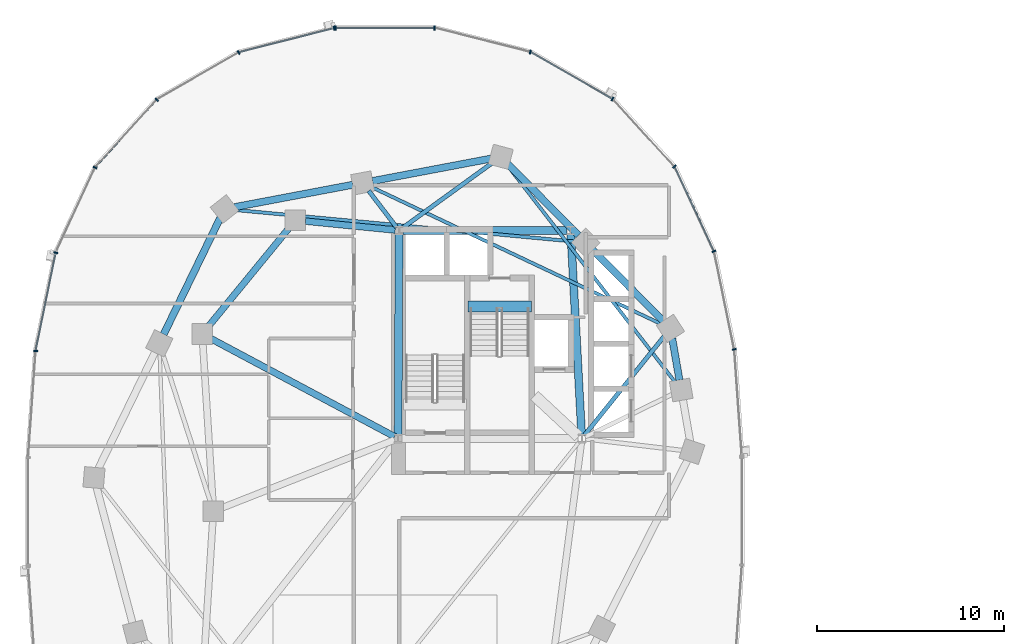
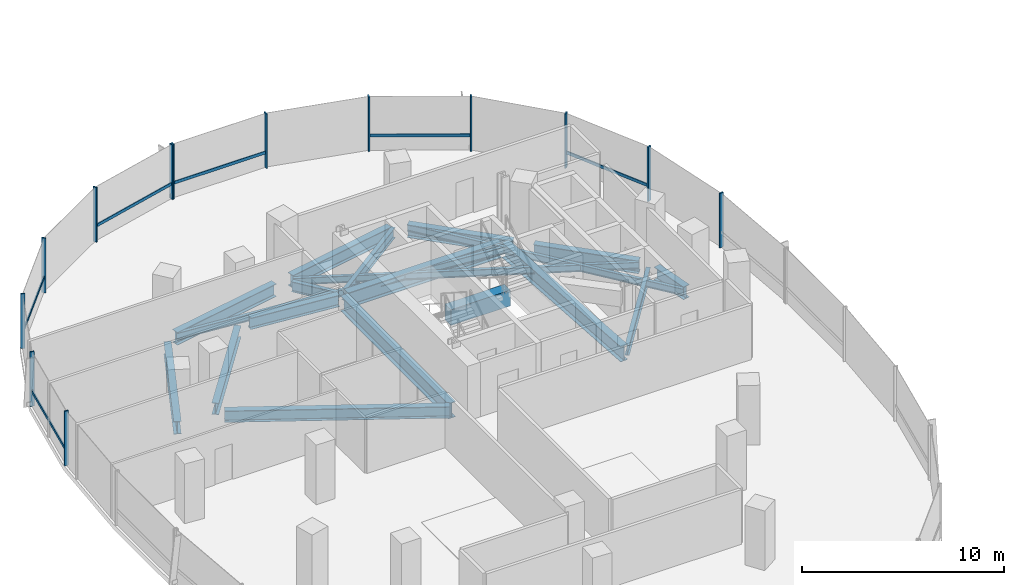
# One storey, part 4 of 21: 19 beams, 19 members, 2 elements without a shape of their own.
"""IFC4 building model written with IfcOpenShell, lengths in metres."""

from ifc_helpers import new_model, si_unit, direction, frame, origin, origin_2d, place, context, subcontext, project, spatial, rectangle, i_section, extrude, material, material_profile, profile_set, type_object, element, aggregate, save


model = new_model("IFC4")

# Units and contexts
model_context = context("Model", 3, precision=1e-05, world=origin(), true_north=direction((0.0, 1.0)))
body_context = subcontext(model_context, "Body", "Model", "MODEL_VIEW")
ifc_project = project(units=[si_unit("LENGTHUNIT", "METRE"), si_unit("AREAUNIT", "SQUARE_METRE"), si_unit("VOLUMEUNIT", "CUBIC_METRE"), si_unit("PLANEANGLEUNIT", "RADIAN"), si_unit("MASSUNIT", "GRAM", prefix="KILO"), si_unit("THERMODYNAMICTEMPERATUREUNIT", "KELVIN"), si_unit("POWERUNIT", "WATT")], contexts=[model_context])

# Site, building, storey
site_placement = place(None, origin())
site = spatial("IfcSite", under=ifc_project, at=site_placement, CompositionType="ELEMENT")
building_placement = place(site_placement, origin())
building = spatial("IfcBuilding", under=site, at=building_placement, Name="Cundina Bronze Exchange", CompositionType="ELEMENT")
storey_placement = place(building_placement, frame((0.0, 0.0, 81.800048828125)))
storey = spatial("IfcBuildingStorey", under=building, at=storey_placement, Name="L20", CompositionType="ELEMENT", Elevation=81.800048828125)

# Beams
ifc_material_1 = material(Name="Concrete C60/75", Category="concrete")
ifc_material_profile_1 = material_profile(ifc_material_1, rectangle(XDim=0.60009765625, YDim=0.949951171875, at=origin_2d()), Name="RC600X950", Category="concrete")
ifc_profile_set_1 = profile_set([ifc_material_profile_1], Name="Concrete C60/75")
beam_type_1 = type_object("IfcBeamType", Name="BM-COUP-RC950", PredefinedType="LINTEL", material=ifc_profile_set_1)
beam_1_placement = place(storey_placement, frame((-27.56005859375, 10.97998046875, -0.47509765625), z_axis=(1.0, 0.0, 0.0), x_axis=(0.0, 1.0, 0.0)))
element("IfcBeam", 1, at=beam_1_placement, inside=storey, type_object=beam_type_1, Name="L20 Stair W2 Landing Header Beam", PredefinedType="LINTEL", context=body_context, shape_type="SweptSolid", body=[
    extrude(rectangle(XDim=0.60009765625, YDim=0.949951171875, at=origin_2d()), origin(), (0.0, 0.0, 1.0), 3.400146484375),
])
ifc_material_2 = material(Name="Steel ASTM A992 Grade 50", Category="steel")
ifc_material_profile_2 = material_profile(ifc_material_2, i_section(OverallWidth=0.22998046875, OverallDepth=0.616943359375, WebThickness=0.01318359375, FlangeThickness=0.022216796875, FilletRadius=0.013916015625, at=origin_2d()), Name="W24X94", Category="steel")
ifc_profile_set_2 = profile_set([ifc_material_profile_2], Name="Steel ASTM A992 Grade 50")
beam_type_2 = type_object("IfcBeamType", Name="BM-FLR-W24B", PredefinedType="BEAM", material=ifc_profile_set_2)
beam_2_placement = place(storey_placement, frame((-21.322021484375, 4.058837890625, -0.608642578125), z_axis=(0.627106187843, 0.778933777139, 0.0), x_axis=(-0.778933777139, 0.627106187843, 0.0)))
element("IfcBeam", 2, at=beam_2_placement, inside=storey, type_object=beam_type_2, Name="L20 Leg W Radial Floor Beam 02", PredefinedType="BEAM", context=body_context, shape_type="SweptSolid", body=[
    extrude(i_section(OverallWidth=0.22998046875, OverallDepth=0.616943359375, WebThickness=0.01318359375, FlangeThickness=0.022216796875, FilletRadius=0.013916015625, at=origin_2d()), origin(), (0.0, 0.0, 1.0), 6.83251953125),
])
beam_3_placement = place(storey_placement, frame((-31.084716796875, 15.169677734375, -0.608642578125), z_axis=(0.809686957662, 0.586862020063, 0.0), x_axis=(-0.586862020063, 0.809686957662, 0.0)))
element("IfcBeam", 3, at=beam_3_placement, inside=storey, type_object=beam_type_2, Name="L20 Leg W Radial Floor Beam 04", PredefinedType="BEAM", context=body_context, shape_type="SweptSolid", body=[
    extrude(i_section(OverallWidth=0.22998046875, OverallDepth=0.616943359375, WebThickness=0.01318359375, FlangeThickness=0.022216796875, FilletRadius=0.013916015625, at=origin_2d()), origin(), (0.0, 0.0, 1.0), 5.98876953125),
])
beam_4_placement = place(storey_placement, frame((-31.373779296875, 15.2119140625, -0.608642578125), z_axis=(-0.607490490457, 0.79432695032, 0.0), x_axis=(-0.79432695032, -0.607490490457, 0.0)))
element("IfcBeam", 4, at=beam_4_placement, inside=storey, type_object=beam_type_2, Name="L20 Leg W Radial Floor Beam 05", PredefinedType="BEAM", context=body_context, shape_type="SweptSolid", body=[
    extrude(i_section(OverallWidth=0.22998046875, OverallDepth=0.616943359375, WebThickness=0.01318359375, FlangeThickness=0.022216796875, FilletRadius=0.013916015625, at=origin_2d()), origin(), (0.0, 0.0, 1.0), 2.46826171875),
])
ifc_material_profile_3 = material_profile(ifc_material_2, i_section(OverallWidth=0.178955078125, OverallDepth=0.409912109375, WebThickness=0.0087890625, FlangeThickness=0.014404296875, FilletRadius=0.010986328125, at=origin_2d()), Name="W16X45", Category="steel")
ifc_profile_set_3 = profile_set([ifc_material_profile_3], Name="Steel ASTM A992 Grade 50")
beam_type_3 = type_object("IfcBeamType", Name="BM-JST-W16", PredefinedType="JOIST", material=ifc_profile_set_3)
beam_5_placement = place(storey_placement, frame((-16.454345703125, 6.92529296875, -0.505126953125), z_axis=(-0.612065218806, 0.790807288742, 0.0), x_axis=(-0.790807288742, -0.612065218806, 0.0)))
element("IfcBeam", 5, at=beam_5_placement, inside=storey, type_object=beam_type_3, Name="L20 Leg W Lobe Floor Joist 01-04", PredefinedType="JOIST", context=body_context, shape_type="SweptSolid", body=[
    extrude(i_section(OverallWidth=0.178955078125, OverallDepth=0.409912109375, WebThickness=0.0087890625, FlangeThickness=0.014404296875, FilletRadius=0.010986328125, at=origin_2d()), origin(), (0.0, 0.0, 1.0), 14.73095703125),
])
beam_6_placement = place(storey_placement, frame((-17.186279296875, 10.02978515625, -0.505126953125), z_axis=(-0.904069270633, 0.427385954259, 0.0), x_axis=(-0.427385954259, -0.904069270633, 0.0)))
element("IfcBeam", 6, at=beam_6_placement, inside=storey, type_object=beam_type_3, Name="L20 Leg W Lobe Floor Joist 02-05", PredefinedType="JOIST", context=body_context, shape_type="SweptSolid", body=[
    extrude(i_section(OverallWidth=0.178955078125, OverallDepth=0.409912109375, WebThickness=0.0087890625, FlangeThickness=0.014404296875, FilletRadius=0.010986328125, at=origin_2d()), origin(), (0.0, 0.0, 1.0), 17.175048828125),
])
beam_7_placement = place(storey_placement, frame((-21.78564453125, 14.44970703125, -0.505126953125), z_axis=(-0.995700674022, 0.092629194921, 0.0), x_axis=(-0.092629194921, -0.995700674022, 0.0)))
element("IfcBeam", 7, at=beam_7_placement, inside=storey, type_object=beam_type_3, Name="L20 Leg W Lobe Floor Joist 03-06", PredefinedType="JOIST", context=body_context, shape_type="SweptSolid", body=[
    extrude(i_section(OverallWidth=0.178955078125, OverallDepth=0.409912109375, WebThickness=0.0087890625, FlangeThickness=0.014404296875, FilletRadius=0.010986328125, at=origin_2d()), origin(), (0.0, 0.0, 1.0), 18.357421875),
])
ifc_material_profile_4 = material_profile(ifc_material_2, i_section(OverallWidth=0.35498046875, OverallDepth=0.695068359375, WebThickness=0.015380859375, FlangeThickness=0.02490234375, FilletRadius=0.01806640625, at=origin_2d()), Name="W27X146", Category="steel")
ifc_profile_set_4 = profile_set([ifc_material_profile_4], Name="Steel ASTM A992 Grade 50")
beam_type_4 = type_object("IfcBeamType", Name="BM-RING-W27", PredefinedType="USERDEFINED", material=ifc_profile_set_4)
beam_8_placement = place(storey_placement, frame((-31.452880859375, 15.070068359375, -0.6474609375), z_axis=(-0.995126271817, 0.098608839051, 0.0), x_axis=(-0.098608839051, -0.995126271817, 0.0)))
element("IfcBeam", 8, at=beam_8_placement, inside=storey, type_object=beam_type_4, Name="L20 W Inner Structural Ring Girder 01", ObjectType="GIRDER", PredefinedType="USERDEFINED", context=body_context, shape_type="SweptSolid", body=[
    extrude(i_section(OverallWidth=0.35498046875, OverallDepth=0.695068359375, WebThickness=0.015380859375, FlangeThickness=0.02490234375, FilletRadius=0.01806640625, at=origin_2d()), origin(), (0.0, 0.0, 1.0), 4.83544921875),
])
beam_9_placement = place(storey_placement, frame((-37.14111328125, 15.183837890625, -0.6474609375), z_axis=(-0.633926549035, -0.773393257295, 0.0), x_axis=(0.773393257295, -0.633926549035, 0.0)))
element("IfcBeam", 9, at=beam_9_placement, inside=storey, type_object=beam_type_4, Name="L20 W Inner Structural Ring Girder 02", ObjectType="GIRDER", PredefinedType="USERDEFINED", context=body_context, shape_type="SweptSolid", body=[
    extrude(i_section(OverallWidth=0.35498046875, OverallDepth=0.695068359375, WebThickness=0.015380859375, FlangeThickness=0.02490234375, FilletRadius=0.01806640625, at=origin_2d()), origin(), (0.0, 0.0, 1.0), 6.811279296875),
])
beam_10_placement = place(storey_placement, frame((-31.47998046875, 3.99609375, -0.6474609375), z_axis=(-0.882354758239, 0.470584828286, 0.0), x_axis=(-0.470584828286, -0.882354758239, 0.0)))
element("IfcBeam", 10, at=beam_10_placement, inside=storey, type_object=beam_type_4, Name="L20 W Core-to-Waist Tie Beam 2", ObjectType="GIRDER", PredefinedType="USERDEFINED", context=body_context, shape_type="SweptSolid", body=[
    extrude(i_section(OverallWidth=0.35498046875, OverallDepth=0.695068359375, WebThickness=0.015380859375, FlangeThickness=0.02490234375, FilletRadius=0.01806640625, at=origin_2d()), origin(), (0.0, 0.0, 1.0), 11.157958984375),
])
ifc_material_profile_5 = material_profile(ifc_material_2, i_section(OverallWidth=0.381103515625, OverallDepth=0.77294921875, WebThickness=0.0166015625, FlangeThickness=0.027099609375, FilletRadius=0.01904296875, at=origin_2d()), Name="W30X173", Category="steel")
ifc_profile_set_5 = profile_set([ifc_material_profile_5], Name="Steel ASTM A992 Grade 50")
beam_type_5 = type_object("IfcBeamType", Name="BM-RING-W30", PredefinedType="USERDEFINED", material=ifc_profile_set_5)
beam_11_placement = place(storey_placement, frame((-16.21728515625, 7.030029296875, -0.6865234375), z_axis=(-0.171690078326, 0.985151012284, 0.0), x_axis=(-0.985151012284, -0.171690078326, 0.0)))
element("IfcBeam", 11, at=beam_11_placement, inside=storey, type_object=beam_type_5, Name="L20 W Perimeter Ring Girder 01", ObjectType="GIRDER", PredefinedType="USERDEFINED", context=body_context, shape_type="SweptSolid", body=[
    extrude(i_section(OverallWidth=0.381103515625, OverallDepth=0.77294921875, WebThickness=0.0166015625, FlangeThickness=0.027099609375, FilletRadius=0.01904296875, at=origin_2d()), origin(), (0.0, 0.0, 1.0), 2.273681640625),
])
for number, where, z_axis, x_axis, name in (
    (12, (-17.078369140625, 10.1826171875, -0.6865234375), (-0.703226342126, 0.7109660412, 0.0), (-0.7109660412, -0.703226342126, 0.0), "L20 W Perimeter Ring Girder 02"),
    (13, (-21.62841796875, 14.782470703125, -0.6865234375), (-0.703226342126, 0.7109660412, 0.0), (-0.7109660412, -0.703226342126, 0.0), "L20 W Perimeter Ring Girder 03"),
):
    element("IfcBeam", number, at=place(storey_placement, frame(where, z_axis=z_axis, x_axis=x_axis)), inside=storey, type_object=beam_type_5, Name=name, ObjectType="GIRDER", PredefinedType="USERDEFINED", context=body_context, shape_type="SweptSolid", body=[
        extrude(i_section(OverallWidth=0.381103515625, OverallDepth=0.77294921875, WebThickness=0.0166015625, FlangeThickness=0.027099609375, FilletRadius=0.01904296875, at=origin_2d()), origin(), (0.0, 0.0, 1.0), 5.39404296875),
    ])
for number, where, z_axis, x_axis, name in (
    (14, (-26.32861328125, 18.89990234375, -0.6865234375), (-0.98257117919, -0.185886733861, 0.0), (0.185886733861, -0.98257117919, 0.0), "L20 W Perimeter Ring Girder 04"),
    (15, (-33.728515625, 17.5, -0.6865234375), (-0.98257117919, -0.185886733861, 0.0), (0.185886733861, -0.98257117919, 0.0), "L20 W Perimeter Ring Girder 05"),
):
    element("IfcBeam", number, at=place(storey_placement, frame(where, z_axis=z_axis, x_axis=x_axis)), inside=storey, type_object=beam_type_5, Name=name, ObjectType="GIRDER", PredefinedType="USERDEFINED", context=body_context, shape_type="SweptSolid", body=[
        extrude(i_section(OverallWidth=0.381103515625, OverallDepth=0.77294921875, WebThickness=0.0166015625, FlangeThickness=0.027099609375, FilletRadius=0.01904296875, at=origin_2d()), origin(), (0.0, 0.0, 1.0), 6.455322265625),
    ])
beam_12_placement = place(storey_placement, frame((-40.835205078125, 15.716064453125, -0.6865234375), z_axis=(-0.437193894283, -0.899367276924, 0.0), x_axis=(0.899367276924, -0.437193894283, 0.0)))
element("IfcBeam", 16, at=beam_12_placement, inside=storey, type_object=beam_type_5, Name="L20 W Perimeter Ring Girder 06", ObjectType="GIRDER", PredefinedType="USERDEFINED", context=body_context, shape_type="SweptSolid", body=[
    extrude(i_section(OverallWidth=0.381103515625, OverallDepth=0.77294921875, WebThickness=0.0166015625, FlangeThickness=0.027099609375, FilletRadius=0.01904296875, at=origin_2d()), origin(), (0.0, 0.0, 1.0), 6.929443359375),
])
ifc_material_profile_6 = material_profile(ifc_material_2, i_section(OverallWidth=0.41796875, OverallDepth=0.927001953125, WebThickness=0.019287109375, FlangeThickness=0.031982421875, FilletRadius=0.02392578125, at=origin_2d()), Name="W36X231", Category="steel")
ifc_profile_set_6 = profile_set([ifc_material_profile_6], Name="Steel ASTM A992 Grade 50")
beam_type_6 = type_object("IfcBeamType", Name="BM-WRN-W36B", PredefinedType="USERDEFINED", material=ifc_profile_set_6)
beam_13_placement = place(storey_placement, frame((-21.4609375, 4.103759765625, -0.763427734375), z_axis=(-0.053739193498, 0.998555005537, 0.0), x_axis=(-0.998555005537, -0.053739193498, 0.0)))
element("IfcBeam", 17, at=beam_13_placement, inside=storey, type_object=beam_type_6, Name="L20 W Core Perimeter Tie Girder 2", ObjectType="GIRDER", PredefinedType="USERDEFINED", context=body_context, shape_type="SweptSolid", body=[
    extrude(i_section(OverallWidth=0.41796875, OverallDepth=0.927001953125, WebThickness=0.019287109375, FlangeThickness=0.031982421875, FilletRadius=0.02392578125, at=origin_2d()), origin(), (0.0, 0.0, 1.0), 10.758056640625),
])
beam_14_placement = place(storey_placement, frame((-22.25390625, 15.050048828125, -0.763427734375), z_axis=(-1.0, 0.0, 0.0), x_axis=(0.0, -1.0, 0.0)))
element("IfcBeam", 18, at=beam_14_placement, inside=storey, type_object=beam_type_6, Name="L20 W Core Perimeter Tie Girder 3", ObjectType="GIRDER", PredefinedType="USERDEFINED", context=body_context, shape_type="SweptSolid", body=[
    extrude(i_section(OverallWidth=0.41796875, OverallDepth=0.927001953125, WebThickness=0.019287109375, FlangeThickness=0.031982421875, FilletRadius=0.02392578125, at=origin_2d()), origin(), (0.0, 0.0, 1.0), 8.7919921875),
])
beam_15_placement = place(storey_placement, frame((-31.2509765625, 14.845947265625, -0.763427734375), z_axis=(-0.004477329608, -0.99998997671, 0.0), x_axis=(0.99998997671, -0.004477329608, 0.0)))
element("IfcBeam", 19, at=beam_15_placement, inside=storey, type_object=beam_type_6, Name="L20 W Core Perimeter Tie Girder 4", ObjectType="GIRDER", PredefinedType="USERDEFINED", context=body_context, shape_type="SweptSolid", body=[
    extrude(i_section(OverallWidth=0.41796875, OverallDepth=0.927001953125, WebThickness=0.019287109375, FlangeThickness=0.031982421875, FilletRadius=0.02392578125, at=origin_2d()), origin(), (0.0, 0.0, 1.0), 10.741943359375),
])

# Curtain wall, members
ifc_material_3 = material(Name="Anodised Bronze Aluminium 6063-T6", Category="aluminium")
curtain_wall_type = type_object("IfcCurtainWallType", Name="CWS-TRD-MID", PredefinedType="NOTDEFINED", material=ifc_material_3)
curtain_wall_1_placement = place(storey_placement, origin())
curtain_wall_1 = element("IfcCurtainWall", 20, at=curtain_wall_1_placement, inside=storey, type_object=curtain_wall_type, Name="L20 CW-03 Curtain Wall Run CWR-L20-W1", PredefinedType="NOTDEFINED")
ifc_material_profile_7 = material_profile(ifc_material_3, rectangle(XDim=0.074951171875, YDim=0.219970703125, at=origin_2d()), Name="AL75X220", Category="aluminium")
ifc_profile_set_7 = profile_set([ifc_material_profile_7], Name="Anodised Bronze Aluminium 6063-T6")
member_type_1 = type_object("IfcMemberType", Name="CWM-MUL-220", PredefinedType="MULLION", material=ifc_profile_set_7)
member_1_placement = place(storey_placement, frame((-13.282958984375, 8.67822265625, 0.0), z_axis=(0.0, 0.0, 1.0), x_axis=(-0.201419845156, 0.979505000486, 0.0)))
member_1 = element("IfcMember", 21, at=member_1_placement, type_object=member_type_1, Name="CW-03 Mullion 2", PredefinedType="MULLION", context=body_context, shape_type="SweptSolid", body=[
    extrude(rectangle(XDim=0.074951171875, YDim=0.219970703125, at=origin_2d()), origin(), (0.0, 0.0, 1.0), 3.300048828125),
])
member_2_placement = place(storey_placement, frame((-14.3720703125, 13.931884765625, 0.0), z_axis=(0.0, 0.0, 1.0), x_axis=(-0.42087749791, 0.907117485088, 0.0)))
member_2 = element("IfcMember", 22, at=member_2_placement, type_object=member_type_1, Name="CW-03 Mullion 3", PredefinedType="MULLION", context=body_context, shape_type="SweptSolid", body=[
    extrude(rectangle(XDim=0.074951171875, YDim=0.219970703125, at=origin_2d()), origin(), (0.0, 0.0, 1.0), 3.300048828125),
])
member_3_placement = place(storey_placement, frame((-16.491455078125, 18.47705078125, 0.0), z_axis=(0.0, 0.0, 1.0), x_axis=(-0.674302387584, 0.738455340626, 0.0)))
member_3 = element("IfcMember", 23, at=member_3_placement, type_object=member_type_1, Name="CW-03 Mullion 4", PredefinedType="MULLION", context=body_context, shape_type="SweptSolid", body=[
    extrude(rectangle(XDim=0.074951171875, YDim=0.219970703125, at=origin_2d()), origin(), (0.0, 0.0, 1.0), 3.300048828125),
])
member_4_placement = place(storey_placement, frame((-19.810302734375, 22.097412109375, 0.0), z_axis=(0.0, 0.0, 1.0), x_axis=(-0.867070701164, 0.498185105339, 0.0)))
member_4 = element("IfcMember", 24, at=member_4_placement, type_object=member_type_1, Name="CW-03 Mullion 5", PredefinedType="MULLION", context=body_context, shape_type="SweptSolid", body=[
    extrude(rectangle(XDim=0.074951171875, YDim=0.219970703125, at=origin_2d()), origin(), (0.0, 0.0, 1.0), 3.300048828125),
])
member_5_placement = place(storey_placement, frame((-24.21484375, 24.61669921875, 0.0), z_axis=(0.0, 0.0, 1.0), x_axis=(-0.969488149345, 0.245138182011, 0.0)))
member_5 = element("IfcMember", 25, at=member_5_placement, type_object=member_type_1, Name="CW-03 Mullion 6", PredefinedType="MULLION", context=body_context, shape_type="SweptSolid", body=[
    extrude(rectangle(XDim=0.074951171875, YDim=0.219970703125, at=origin_2d()), origin(), (0.0, 0.0, 1.0), 3.300048828125),
])
member_6_placement = place(storey_placement, frame((-29.345458984375, 25.905029296875, 0.0), z_axis=(0.0, 0.0, 1.0), x_axis=(-1.0, 0.0, 0.0)))
member_6 = element("IfcMember", 26, at=member_6_placement, type_object=member_type_1, Name="CW-03 Mullion 7", PredefinedType="MULLION", context=body_context, shape_type="SweptSolid", body=[
    extrude(rectangle(XDim=0.074951171875, YDim=0.219970703125, at=origin_2d()), origin(), (0.0, 0.0, 1.0), 3.300048828125),
])
member_7_placement = place(storey_placement, frame((-34.654541015625, 25.905029296875, 0.0), z_axis=(0.0, 0.0, 1.0), x_axis=(-1.0, 0.0, 0.0)))
member_7 = element("IfcMember", 27, at=member_7_placement, type_object=member_type_1, Name="CW-03 End Mullion", PredefinedType="MULLION", context=body_context, shape_type="SweptSolid", body=[
    extrude(rectangle(XDim=0.074951171875, YDim=0.219970703125, at=origin_2d()), origin(), (0.0, 0.0, 1.0), 3.300048828125),
])

curtain_wall_2_placement = place(storey_placement, origin())
curtain_wall_2 = element("IfcCurtainWall", 28, at=curtain_wall_2_placement, inside=storey, type_object=curtain_wall_type, Name="L20 CW-03 Curtain Wall Run CWR-L20-W2", PredefinedType="NOTDEFINED")
member_8_placement = place(storey_placement, frame((-34.72607421875, 25.89599609375, 0.0), z_axis=(0.0, 0.0, 1.0), x_axis=(-0.969488149345, -0.245138182011, 0.0)))
member_8 = element("IfcMember", 29, at=member_8_placement, type_object=member_type_1, Name="CW-03 Mullion 1", PredefinedType="MULLION", context=body_context, shape_type="SweptSolid", body=[
    extrude(rectangle(XDim=0.074951171875, YDim=0.219970703125, at=origin_2d()), origin(), (0.0, 0.0, 1.0), 3.300048828125),
])
member_9_placement = place(storey_placement, frame((-39.848876953125, 24.591064453125, 0.0), z_axis=(0.0, 0.0, 1.0), x_axis=(-0.867070701164, -0.498185105339, 0.0)))
member_9 = element("IfcMember", 30, at=member_9_placement, type_object=member_type_1, Name="CW-03 Mullion 2", PredefinedType="MULLION", context=body_context, shape_type="SweptSolid", body=[
    extrude(rectangle(XDim=0.074951171875, YDim=0.219970703125, at=origin_2d()), origin(), (0.0, 0.0, 1.0), 3.300048828125),
])
member_10_placement = place(storey_placement, frame((-44.239501953125, 22.0576171875, 0.0), z_axis=(0.0, 0.0, 1.0), x_axis=(-0.674302387584, -0.738455340626, 0.0)))
member_10 = element("IfcMember", 31, at=member_10_placement, type_object=member_type_1, Name="CW-03 Mullion 3", PredefinedType="MULLION", context=body_context, shape_type="SweptSolid", body=[
    extrude(rectangle(XDim=0.074951171875, YDim=0.219970703125, at=origin_2d()), origin(), (0.0, 0.0, 1.0), 3.300048828125),
])
member_11_placement = place(storey_placement, frame((-47.544189453125, 18.423583984375, 0.0), z_axis=(0.0, 0.0, 1.0), x_axis=(-0.42087749791, -0.907117485088, 0.0)))
member_11 = element("IfcMember", 32, at=member_11_placement, type_object=member_type_1, Name="CW-03 Mullion 4", PredefinedType="MULLION", context=body_context, shape_type="SweptSolid", body=[
    extrude(rectangle(XDim=0.074951171875, YDim=0.219970703125, at=origin_2d()), origin(), (0.0, 0.0, 1.0), 3.300048828125),
])
member_12_placement = place(storey_placement, frame((-49.651123046875, 13.861328125, 0.0), z_axis=(0.0, 0.0, 1.0), x_axis=(-0.201419845156, -0.979505000486, 0.0)))
member_12 = element("IfcMember", 33, at=member_12_placement, type_object=member_type_1, Name="CW-03 Mullion 5", PredefinedType="MULLION", context=body_context, shape_type="SweptSolid", body=[
    extrude(rectangle(XDim=0.074951171875, YDim=0.219970703125, at=origin_2d()), origin(), (0.0, 0.0, 1.0), 3.300048828125),
])
member_13_placement = place(storey_placement, frame((-50.72900390625, 8.591552734375, 0.0), z_axis=(0.0, 0.0, 1.0), x_axis=(-0.070278787473, -0.997527389113, 0.0)))
member_13 = element("IfcMember", 34, at=member_13_placement, type_object=member_type_1, Name="CW-03 Mullion 6", PredefinedType="MULLION", context=body_context, shape_type="SweptSolid", body=[
    extrude(rectangle(XDim=0.074951171875, YDim=0.219970703125, at=origin_2d()), origin(), (0.0, 0.0, 1.0), 3.300048828125),
])

# Member
ifc_material_profile_8 = material_profile(ifc_material_3, rectangle(XDim=0.070068359375, YDim=0.179931640625, at=origin_2d()), Name="AL70X180", Category="aluminium")
ifc_profile_set_8 = profile_set([ifc_material_profile_8], Name="Anodised Bronze Aluminium 6063-T6")
member_type_2 = type_object("IfcMemberType", Name="CWM-TRN-180", PredefinedType="USERDEFINED", material=ifc_profile_set_8)
member_14_placement = place(storey_placement, frame((-14.389404296875, 13.96923828125, 0.919921875), z_axis=(-0.420811422796, 0.907148139195, 0.0), x_axis=(-0.907148139195, -0.420811422796, 0.0)))
member_14 = element("IfcMember", 35, at=member_14_placement, type_object=member_type_2, Name="CW-03 Spandrel Transom 3", ObjectType="TRANSOM", PredefinedType="USERDEFINED", context=body_context, shape_type="SweptSolid", body=[
    extrude(rectangle(XDim=0.070068359375, YDim=0.179931640625, at=origin_2d()), origin(), (0.0, 0.0, 1.0), 4.95166015625),
])

member_15_placement = place(storey_placement, frame((-19.845947265625, 22.117919921875, 0.919921875), z_axis=(-0.867097475651, 0.498138502546, 0.0), x_axis=(-0.498138502546, -0.867097475651, 0.0)))
member_15 = element("IfcMember", 36, at=member_15_placement, type_object=member_type_2, Name="CW-03 Spandrel Transom 5", ObjectType="TRANSOM", PredefinedType="USERDEFINED", context=body_context, shape_type="SweptSolid", body=[
    extrude(rectangle(XDim=0.070068359375, YDim=0.179931640625, at=origin_2d()), origin(), (0.0, 0.0, 1.0), 5.00634765625),
])

member_16_placement = place(storey_placement, frame((-29.38671875, 25.905029296875, 0.919921875), z_axis=(-1.0, 0.0, 0.0), x_axis=(0.0, -1.0, 0.0)))
member_16 = element("IfcMember", 37, at=member_16_placement, type_object=member_type_2, Name="CW-03 Spandrel Transom 7", ObjectType="TRANSOM", PredefinedType="USERDEFINED", context=body_context, shape_type="SweptSolid", body=[
    extrude(rectangle(XDim=0.070068359375, YDim=0.179931640625, at=origin_2d()), origin(), (0.0, 0.0, 1.0), 5.2265625),
])

aggregate(curtain_wall_1, [member_1, member_2, member_14, member_3, member_4, member_15, member_5, member_6, member_7, member_16])

member_17_placement = place(storey_placement, frame((-34.76611328125, 25.885986328125, 0.919921875), z_axis=(-0.969483968866, -0.245154714644, 0.0), x_axis=(0.245154714644, -0.969483968866, 0.0)))
member_17 = element("IfcMember", 38, at=member_17_placement, type_object=member_type_2, Name="CW-03 Spandrel Transom 1", ObjectType="TRANSOM", PredefinedType="USERDEFINED", context=body_context, shape_type="SweptSolid", body=[
    extrude(rectangle(XDim=0.070068359375, YDim=0.179931640625, at=origin_2d()), origin(), (0.0, 0.0, 1.0), 5.21826171875),
])

member_18_placement = place(storey_placement, frame((-44.26708984375, 22.027099609375, 0.919921875), z_axis=(-0.674302794847, -0.738454968743, 0.0), x_axis=(0.738454968743, -0.674302794847, 0.0)))
member_18 = element("IfcMember", 39, at=member_18_placement, type_object=member_type_2, Name="CW-03 Spandrel Transom 3", ObjectType="TRANSOM", PredefinedType="USERDEFINED", context=body_context, shape_type="SweptSolid", body=[
    extrude(rectangle(XDim=0.070068359375, YDim=0.179931640625, at=origin_2d()), origin(), (0.0, 0.0, 1.0), 4.848388671875),
])

member_19_placement = place(storey_placement, frame((-49.659423828125, 13.821044921875, 0.919921875), z_axis=(-0.201427712708, -0.979503382615, 0.0), x_axis=(0.979503382615, -0.201427712708, 0.0)))
member_19 = element("IfcMember", 40, at=member_19_placement, type_object=member_type_2, Name="CW-03 Spandrel Transom 5", ObjectType="TRANSOM", PredefinedType="USERDEFINED", context=body_context, shape_type="SweptSolid", body=[
    extrude(rectangle(XDim=0.070068359375, YDim=0.179931640625, at=origin_2d()), origin(), (0.0, 0.0, 1.0), 5.291748046875),
])

aggregate(curtain_wall_2, [member_8, member_17, member_9, member_10, member_18, member_11, member_12, member_19, member_13])

save(model, "model.ifc")
